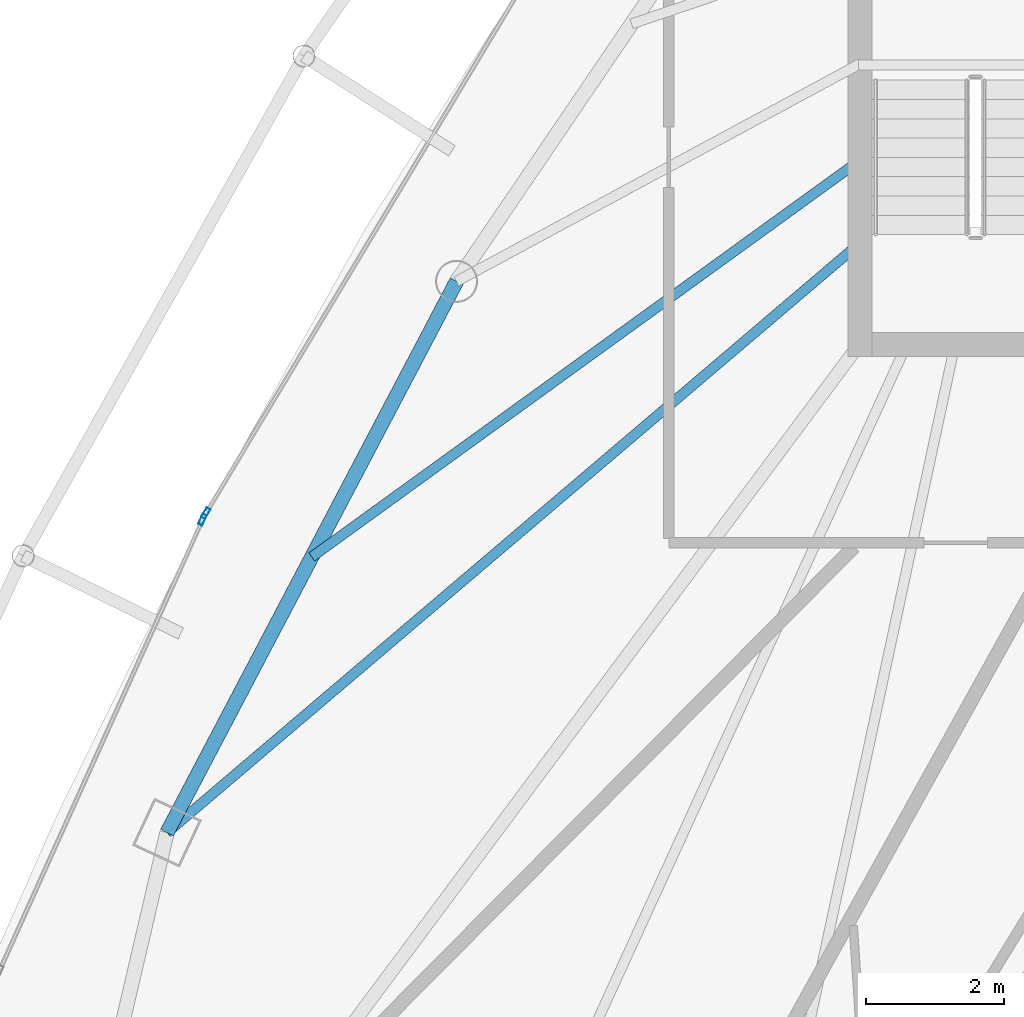
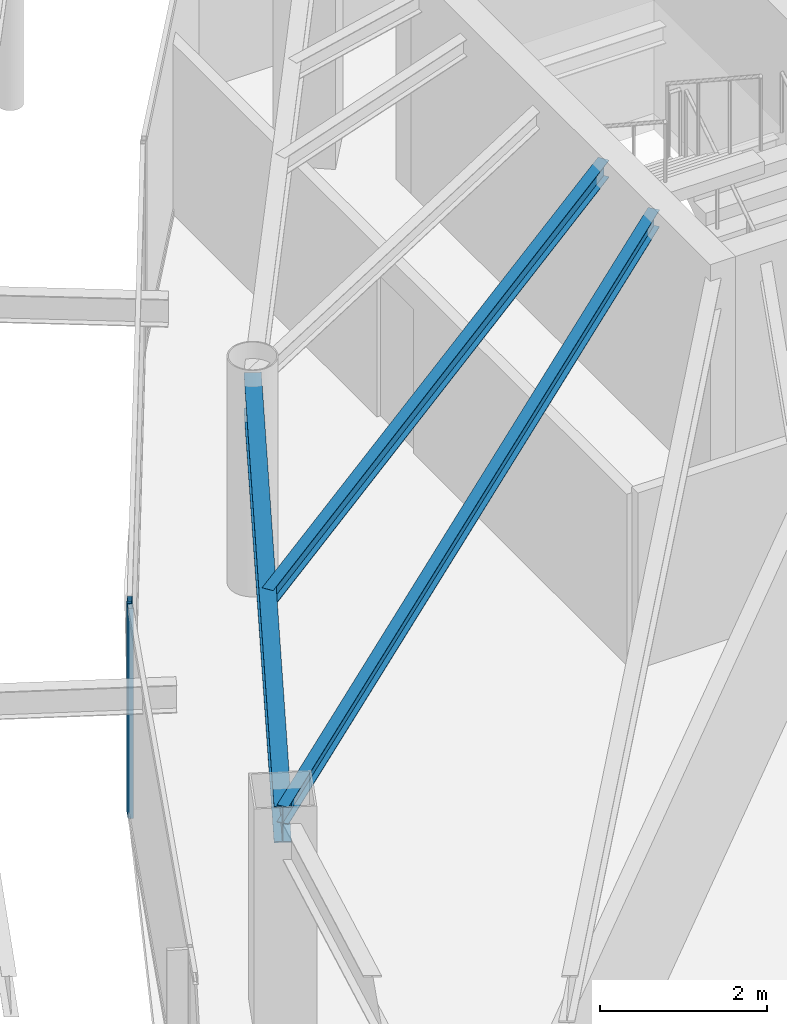
# One storey, part 10 of 29: 3 beams, 2 members, 2 elements without a shape of their own.
"""IFC4 building model written with IfcOpenShell, lengths in metres."""

import ifcopenshell
import ifcopenshell.guid

model = None  # the IFC model being written
_history = None  # IfcOwnerHistory: only IFC2X3 demands one
_inside = {}  # id of a spatial element -> (the spatial element, [elements in it])
_under = {}  # id of a project, library or spatial element -> (it, [spatial elements below it])
_declared = {}  # id of a project -> (the project, [libraries it declares])
_typed = {}  # id of a type object -> (the type object, [elements of that type])
_made_of = {}  # id of a material, layer set ... -> (it, [elements and type objects made of it])


def new_model(schema):
    """Start an empty IFC model of exactly this schema.

    Asked for "IFC4X3", IfcOpenShell would pick the latest addendum, in which some entities
    have other attributes; the version numbers below select the first issue.
    IFC2X3 requires an IfcOwnerHistory on every rooted entity: one is made here for all.
    """
    global model, _history
    if schema == "IFC4X3":
        model = ifcopenshell.file(schema_version=(4, 3, 0, 0))
    else:
        model = ifcopenshell.file(schema=schema)
    _inside.clear()
    _under.clear()
    _declared.clear()
    _typed.clear()
    _made_of.clear()
    _history = None
    if model.schema == "IFC2X3":
        org = make("IfcOrganization", Name="unknown")
        user = make(
            "IfcPersonAndOrganization",
            ThePerson=make("IfcPerson", FamilyName="unknown"),
            TheOrganization=org,
        )
        app = make(
            "IfcApplication",
            ApplicationDeveloper=org,
            Version="unknown",
            ApplicationFullName="unknown",
            ApplicationIdentifier="unknown",
        )
        _history = make(
            "IfcOwnerHistory",
            OwningUser=user,
            OwningApplication=app,
            ChangeAction="ADDED",
            CreationDate=0,
        )
    return model


def make(cls, **values):
    """One entity of the class cls with the attributes given. An attribute that is None is left unset."""
    return model.create_entity(
        cls, **{name: value for name, value in values.items() if value is not None}
    )


def rooted(cls, **values):
    """An entity with a GlobalId (a new one), such as an element, a storey or a relation."""
    return make(cls, GlobalId=ifcopenshell.guid.new(), OwnerHistory=_history, **values)


def si_unit(unit_type, name, prefix=None):
    """IfcSIUnit, for example si_unit("LENGTHUNIT", "METRE", prefix="MILLI")."""
    return make("IfcSIUnit", UnitType=unit_type, Prefix=prefix, Name=name)


def assignment(units):
    """IfcUnitAssignment: the units of a project."""
    return None if units is None else make("IfcUnitAssignment", Units=units)


def point(xyz):
    """IfcCartesianPoint."""
    return None if xyz is None else make("IfcCartesianPoint", Coordinates=xyz)


def direction(xyz):
    """IfcDirection."""
    return None if xyz is None else make("IfcDirection", DirectionRatios=xyz)


def frame(location, z_axis=None, x_axis=None):
    """IfcAxis2Placement3D, a coordinate frame: its origin and axes. An axis left out is left unset."""
    return make(
        "IfcAxis2Placement3D",
        Location=point(location),
        Axis=direction(z_axis),
        RefDirection=direction(x_axis),
    )


def frame_2d(location, x_axis=None):
    """IfcAxis2Placement2D, a coordinate frame in the plane: its origin and x axis."""
    return make(
        "IfcAxis2Placement2D", Location=point(location), RefDirection=direction(x_axis)
    )


def origin():
    """The frame at (0, 0, 0) with its axes left unset."""
    return frame((0.0, 0.0, 0.0))


def origin_2d():
    """The frame at (0, 0) in the plane with its x axis left unset."""
    return frame_2d((0.0, 0.0))


def place(relative_to, where):
    """IfcLocalPlacement: puts the frame where relative to a parent placement (None: the world)."""
    return make(
        "IfcLocalPlacement", PlacementRelTo=relative_to, RelativePlacement=where
    )


def context(
    kind, dimensions, precision=None, world=None, true_north=None, identifier=None
):
    """IfcGeometricRepresentationContext, for example the 3D "Model" context."""
    return make(
        "IfcGeometricRepresentationContext",
        ContextIdentifier=identifier,
        ContextType=kind,
        CoordinateSpaceDimension=dimensions,
        Precision=precision,
        WorldCoordinateSystem=world,
        TrueNorth=true_north,
    )


def subcontext(parent, identifier, kind, view, scale=None):
    """IfcGeometricRepresentationSubContext, for example "Body" below "Model"."""
    return make(
        "IfcGeometricRepresentationSubContext",
        ContextIdentifier=identifier,
        ContextType=kind,
        ParentContext=parent,
        TargetScale=scale,
        TargetView=view,
    )


def project(units=None, contexts=None):
    """IfcProject with its units and contexts."""
    return rooted(
        "IfcProject",
        Name="project",
        RepresentationContexts=contexts,
        UnitsInContext=assignment(units),
    )


def spatial(cls, under=None, at=None, **own):
    """A site, building, storey or space (cls), placed at a placement, below another one or the project."""
    s = rooted(cls, ObjectPlacement=at, **own)
    if under is not None:
        _under.setdefault(under.id(), (under, []))[1].append(s)
    return s


def profile(cls, at=None, kind="AREA", **sizes):
    """A parametric profile (cls). Its sizes go by their IFC names, for example OverallWidth=200.0."""
    return make(cls, ProfileType=kind, Position=at, **sizes)


def hollow_rectangle(**sizes):
    """IfcRectangleHollowProfileDef."""
    return profile("IfcRectangleHollowProfileDef", **sizes)


def i_section(**sizes):
    """IfcIShapeProfileDef."""
    return profile("IfcIShapeProfileDef", **sizes)


def extrude(swept, where, along, depth):
    """IfcExtrudedAreaSolid: the profile swept, set in the frame where, extruded along a direction by depth."""
    return make(
        "IfcExtrudedAreaSolid",
        SweptArea=swept,
        Position=where,
        ExtrudedDirection=direction(along),
        Depth=depth,
    )


def shape(context_of_items, identifier, shape_type, items):
    """IfcShapeRepresentation: the items that make up one representation, for example the "Body"."""
    return make(
        "IfcShapeRepresentation",
        ContextOfItems=context_of_items,
        RepresentationIdentifier=identifier,
        RepresentationType=shape_type,
        Items=items,
    )


def material(Name=None, Category=None):
    """IfcMaterial."""
    return make("IfcMaterial", Name=Name, Category=Category)


def layer(
    of_material, thickness, ventilated=None, Name=None, Category=None, Priority=None
):
    """IfcMaterialLayer: one layer of a wall or slab, of a material (None: an air gap)."""
    return make(
        "IfcMaterialLayer",
        Material=of_material,
        LayerThickness=thickness,
        IsVentilated=ventilated,
        Name=Name,
        Category=Category,
        Priority=Priority,
    )


def layer_set(layers, Name=None):
    """IfcMaterialLayerSet."""
    return make("IfcMaterialLayerSet", MaterialLayers=layers, LayerSetName=Name)


def material_profile(
    of_material, cross_section, Name=None, Category=None, Priority=None
):
    """IfcMaterialProfile: a cross section and its material."""
    return make(
        "IfcMaterialProfile",
        Name=Name,
        Material=of_material,
        Profile=cross_section,
        Priority=Priority,
        Category=Category,
    )


def profile_set(profiles, Name=None, composite=None):
    """IfcMaterialProfileSet."""
    return make(
        "IfcMaterialProfileSet",
        Name=Name,
        MaterialProfiles=profiles,
        CompositeProfile=composite,
    )


def made_of(thing, what):
    """Note that an element or type object is made of a material, layer set ...; save() writes the relation."""
    if what is not None:
        _made_of.setdefault(what.id(), (what, []))[1].append(thing)
    return thing


def type_object(cls, material=None, **own):
    """A type object (cls), such as IfcWallType, which elements share."""
    return made_of(rooted(cls, **own), material)


def element(
    cls,
    number,
    at=None,
    inside=None,
    cuts=None,
    type_object=None,
    material=None,
    context=None,
    identifier="Body",
    shape_type=None,
    held_by="IfcProductDefinitionShape",
    body=None,
    shapes=None,
    **own,
):
    """One element of the class cls, such as IfcWall. Its Tag is "e" and its number.

    at: its placement. inside: the storey or other place that contains it. cuts: it is an
    opening in that element (IfcRelVoidsElement). A single representation is given by context,
    identifier, shape_type and body (its items); several are given by shapes. held_by: the class
    of the entity that holds the representations. save() writes the other relations.
    """
    e = rooted(cls, Tag="e%d" % number, ObjectPlacement=at, **own)
    if body is not None:
        shapes = [shape(context, identifier, shape_type, body)]
    if shapes is not None:
        e.Representation = make(held_by, Representations=shapes)
    if inside is not None:
        _inside.setdefault(inside.id(), (inside, []))[1].append(e)
    if cuts is not None:
        rooted(
            "IfcRelVoidsElement", RelatingBuildingElement=cuts, RelatedOpeningElement=e
        )
    if type_object is not None:
        _typed.setdefault(type_object.id(), (type_object, []))[1].append(e)
    return made_of(e, material)


def aggregate(whole, parts):
    """IfcRelAggregates: a whole, such as a stair, and the parts it consists of."""
    return rooted("IfcRelAggregates", RelatingObject=whole, RelatedObjects=parts)


def save(model, path):
    """Write the relations noted so far, then the file.

    IfcRelAggregates (storeys below a building ...), IfcRelContainedInSpatialStructure (elements
    in a storey), IfcRelDefinesByType, IfcRelAssociatesMaterial and IfcRelDeclares: one each for
    every whole, place, type object, material and project.
    """
    for whole, parts in _under.values():
        aggregate(whole, parts)
    for where, things in _inside.values():
        rooted(
            "IfcRelContainedInSpatialStructure",
            RelatedElements=things,
            RelatingStructure=where,
        )
    for kind, things in _typed.values():
        rooted("IfcRelDefinesByType", RelatedObjects=things, RelatingType=kind)
    for what, things in _made_of.values():
        rooted("IfcRelAssociatesMaterial", RelatedObjects=things, RelatingMaterial=what)
    for by, libraries in _declared.values():
        rooted("IfcRelDeclares", RelatingContext=by, RelatedDefinitions=libraries)
    model.write(path)


model = new_model("IFC4")

# Units and contexts
model_context = context("Model", 3, precision=1e-05, world=origin(), true_north=direction((0.0, 1.0)))
body_context = subcontext(model_context, "Body", "Model", "MODEL_VIEW")
ifc_project = project(units=[si_unit("LENGTHUNIT", "METRE"), si_unit("AREAUNIT", "SQUARE_METRE"), si_unit("VOLUMEUNIT", "CUBIC_METRE"), si_unit("PLANEANGLEUNIT", "RADIAN"), si_unit("MASSUNIT", "GRAM", prefix="KILO")], contexts=[model_context])

# Site, building, storey
site_placement = place(None, origin())
site = spatial("IfcSite", under=ifc_project, at=site_placement, CompositionType="ELEMENT")
building_placement = place(site_placement, origin())
building = spatial("IfcBuilding", under=site, at=building_placement, Name="Orvanel Arch Residences", CompositionType="ELEMENT")
storey_placement = place(building_placement, frame((0.0, 0.0, 250.25)))
storey = spatial("IfcBuildingStorey", under=building, at=storey_placement, Name="L71", CompositionType="ELEMENT", Elevation=250.25)

# Beams
ifc_material_1 = material(Name="Structural steel AS/NZS 3679.1 Grade 300 (300 MPa)", Category="steel")
ifc_material_profile_1 = material_profile(ifc_material_1, i_section(OverallWidth=0.14599609375, OverallDepth=0.251953125, WebThickness=0.006103515625, FlangeThickness=0.008544921875, at=origin_2d()), Name="250UB31.4")
ifc_profile_set_1 = profile_set([ifc_material_profile_1], Name="Structural steel AS/NZS 3679.1 Grade 300 (300 MPa)")
beam_type_1 = type_object("IfcBeamType", Name="BJ-250UB", PredefinedType="JOIST", material=ifc_profile_set_1)
beam_1_placement = place(storey_placement, frame((26.425048828125, 28.199951171875, 2.93408203125), z_axis=(-0.761622669031, -0.64802076357, 0.0), x_axis=(0.64802076357, -0.761622669031, 0.0)))
element("IfcBeam", 1, at=beam_1_placement, inside=storey, type_object=beam_type_1, Name="L71 W Wing Floor Joist", PredefinedType="JOIST", context=body_context, shape_type="SweptSolid", body=[
    extrude(i_section(OverallWidth=0.14599609375, OverallDepth=0.251953125, WebThickness=0.006103515625, FlangeThickness=0.008544921875, at=origin_2d()), origin(), (0.0, 0.0, 1.0), 13.2060546875),
])
beam_2_placement = place(storey_placement, frame((26.425048828125, 29.39990234375, 2.93408203125), z_axis=(-0.810144032972, -0.586230881002, 0.0), x_axis=(0.586230881002, -0.810144032972, 0.0)))
element("IfcBeam", 2, at=beam_2_placement, inside=storey, type_object=beam_type_1, Name="L71 CTW Wing Floor Joist", PredefinedType="JOIST", context=body_context, shape_type="SweptSolid", body=[
    extrude(i_section(OverallWidth=0.14599609375, OverallDepth=0.251953125, WebThickness=0.006103515625, FlangeThickness=0.008544921875, at=origin_2d()), origin(), (0.0, 0.0, 1.0), 9.82177734375),
])

# Curtain wall, member
ifc_material_2 = material(Name="Bronze-anodised aluminium AA6063-T6", Category="aluminium")
ifc_layer = layer(ifc_material_2, 0.175048828125)
ifc_layer_set = layer_set([ifc_layer], Name="Bronze-anodised aluminium AA6063-T6")
curtain_wall_type = type_object("IfcCurtainWallType", Name="CW4-HI-SYS", PredefinedType="NOTDEFINED", material=ifc_layer_set)
curtain_wall_1_placement = place(storey_placement, origin())
curtain_wall_1 = element("IfcCurtainWall", 3, at=curtain_wall_1_placement, inside=storey, type_object=curtain_wall_type, Name="L71 CW4-HI-SYS Unitised Curtain Wall", PredefinedType="NOTDEFINED")
ifc_material_profile_2 = material_profile(ifc_material_2, hollow_rectangle(XDim=0.06494140625, YDim=0.159912109375, WallThickness=0.00390625, at=origin_2d()), Name="ALU160x65x4")
ifc_profile_set_2 = profile_set([ifc_material_profile_2], Name="Bronze-anodised aluminium AA6063-T6")
member_type = type_object("IfcMemberType", Name="MUL-160x65", PredefinedType="MULLION", material=ifc_profile_set_2)
member_1_placement = place(storey_placement, frame((16.9306640625, 24.27587890625, 0.0), z_axis=(0.0, 0.0, 1.0), x_axis=(0.857576137808, -0.514357043174, 0.0)))
member_1 = element("IfcMember", 4, at=member_1_placement, type_object=member_type, Name="CW-S4 mullion 2", PredefinedType="MULLION", context=body_context, shape_type="SweptSolid", body=[
    extrude(hollow_rectangle(XDim=0.06494140625, YDim=0.159912109375, WallThickness=0.00390625, at=origin_2d()), origin(), (0.0, 0.0, 1.0), 3.06005859375),
])
aggregate(curtain_wall_1, [member_1])

curtain_wall_2_placement = place(storey_placement, origin())
curtain_wall_2 = element("IfcCurtainWall", 5, at=curtain_wall_2_placement, inside=storey, type_object=curtain_wall_type, Name="L71 CW4-HI-SYS Unitised Curtain Wall", PredefinedType="NOTDEFINED")
member_2_placement = place(storey_placement, frame((16.882568359375, 24.183349609375, 0.0), z_axis=(0.0, 0.0, 1.0), x_axis=(0.911907243559, -0.410396368338, 0.0)))
member_2 = element("IfcMember", 6, at=member_2_placement, type_object=member_type, Name="CW-S4 mullion 1", PredefinedType="MULLION", context=body_context, shape_type="SweptSolid", body=[
    extrude(hollow_rectangle(XDim=0.06494140625, YDim=0.159912109375, WallThickness=0.00390625, at=origin_2d()), origin(), (0.0, 0.0, 1.0), 3.06005859375),
])
aggregate(curtain_wall_2, [member_2])

# Beam
ifc_material_profile_3 = material_profile(ifc_material_1, i_section(OverallWidth=0.208984375, OverallDepth=0.532958984375, WebThickness=0.01025390625, FlangeThickness=0.015625, at=origin_2d()), Name="530UB92.4")
ifc_profile_set_3 = profile_set([ifc_material_profile_3], Name="Structural steel AS/NZS 3679.1 Grade 300 (300 MPa)")
beam_type_2 = type_object("IfcBeamType", Name="SP-530UB", PredefinedType="SPANDREL", material=ifc_profile_set_3)
beam_3_placement = place(storey_placement, frame((20.569091796875, 27.64111328125, 2.79296875), z_axis=(-0.465064762793, -0.885276660942, 0.0), x_axis=(0.885276660942, -0.465064762793, 0.0)))
element("IfcBeam", 7, at=beam_3_placement, inside=storey, type_object=beam_type_2, Name="L71 Perimeter Spandrel Beam 12", PredefinedType="SPANDREL", context=body_context, shape_type="SweptSolid", body=[
    extrude(i_section(OverallWidth=0.208984375, OverallDepth=0.532958984375, WebThickness=0.01025390625, FlangeThickness=0.015625, at=origin_2d()), origin(), (0.0, 0.0, 1.0), 9.03564453125),
])

save(model, "model.ifc")
